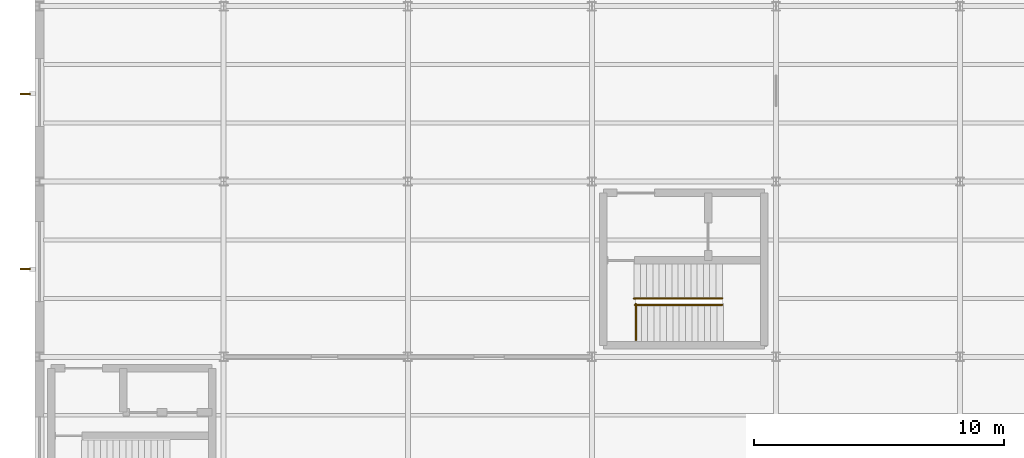
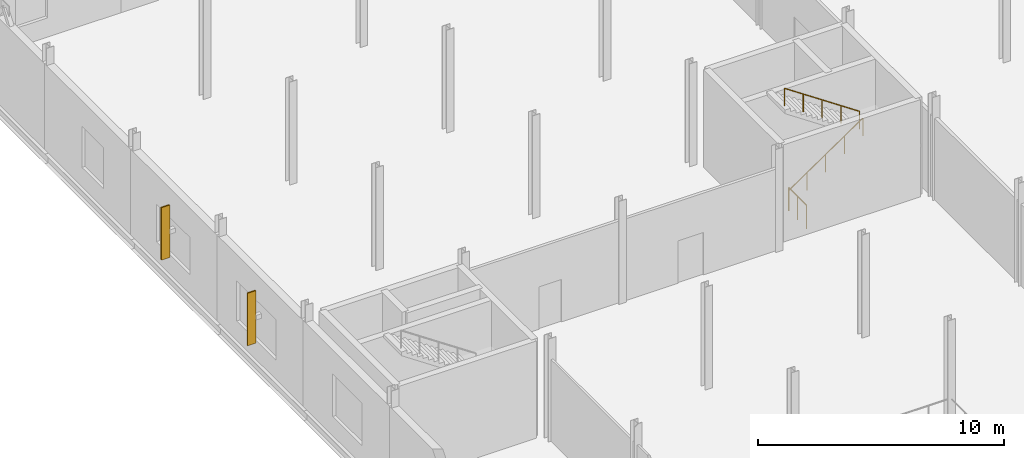
# One storey, part 213 of 218: 3 railings, 2 shading devices.
"""IFC4 building model written with IfcOpenShell, lengths in metres."""

from ifc_helpers import new_model, si_unit, direction, frame, origin, origin_2d, place, context, subcontext, project, spatial, rectangle, circle, extrude, material, layer, layer_set, type_object, element, save


model = new_model("IFC4")

# Units and contexts
model_context = context("Model", 3, precision=1e-05, world=origin(), true_north=direction((0.0, 1.0)))
body_context = subcontext(model_context, "Body", "Model", "MODEL_VIEW")
ifc_project = project(units=[si_unit("LENGTHUNIT", "METRE"), si_unit("AREAUNIT", "SQUARE_METRE"), si_unit("VOLUMEUNIT", "CUBIC_METRE"), si_unit("PLANEANGLEUNIT", "RADIAN"), si_unit("MASSUNIT", "GRAM", prefix="KILO")], contexts=[model_context])

# Site, building, storey
site_placement = place(None, origin())
site = spatial("IfcSite", under=ifc_project, at=site_placement, CompositionType="ELEMENT")
building_placement = place(site_placement, origin())
building = spatial("IfcBuilding", under=site, at=building_placement, Name="Kazenagashi Tramway Depot", CompositionType="ELEMENT")
storey_placement = place(building_placement, frame((0.0, 0.0, 6.0)))
storey = spatial("IfcBuildingStorey", under=building, at=storey_placement, Name="L02", CompositionType="ELEMENT", Elevation=6.0)

# Railings
ifc_material_1 = material(Name="Galvanised Painted Steel Balustrade", Category="steel")
railing_type_1 = type_object("IfcRailingType", Name="GR-01", PredefinedType="GUARDRAIL", material=ifc_material_1)
railing_1_placement = place(storey_placement, frame((23.81, 35.67, 0.0)))
element("IfcRailing", 1, at=railing_1_placement, inside=storey, type_object=railing_type_1, Name="Stairwell ST-05 Arrival Guardrail", PredefinedType="GUARDRAIL", context=body_context, shape_type="SweptSolid", body=[
    extrude(circle(Radius=0.024, at=origin_2d()), frame((0.0, 0.0, 1.156), z_axis=(0.0, 1.0, 0.0), x_axis=(-1.0, 0.0, 0.0)), (0.0, 0.0, 1.0), 1.45),
    extrude(circle(Radius=0.021, at=origin_2d()), origin(), (0.0, 0.0, 1.0), 1.132),
    extrude(circle(Radius=0.021, at=origin_2d()), frame((0.0, 0.725, 0.0)), (0.0, 0.0, 1.0), 1.132),
    extrude(circle(Radius=0.021, at=origin_2d()), frame((0.0, 1.45, 0.0)), (0.0, 0.0, 1.0), 1.132),
])
ifc_material_2 = material(Name="Brushed Stainless Steel Handrail", Category="steel")
railing_type_2 = type_object("IfcRailingType", Name="HR-01", PredefinedType="HANDRAIL", material=ifc_material_2)
railing_2_placement = place(storey_placement, frame((23.77, 37.07, 0.17)))
element("IfcRailing", 2, at=railing_2_placement, inside=storey, type_object=railing_type_2, Name="Stair ST-06 Lower Handrail", PredefinedType="HANDRAIL", context=body_context, shape_type="SweptSolid", body=[
    extrude(circle(Radius=0.024, at=origin_2d()), frame((0.0, 0.0, 0.876), z_axis=(0.826026878985, 0.0, 0.563630725913), x_axis=(0.0, 1.0, 0.0)), (0.0, 0.0, 1.0), 4.222623),
    extrude(circle(Radius=0.021, at=origin_2d()), origin(), (0.0, 0.0, 1.0), 0.852),
    extrude(circle(Radius=0.021, at=origin_2d()), frame((0.872, 0.0, 0.595)), (0.0, 0.0, 1.0), 0.852),
    extrude(circle(Radius=0.021, at=origin_2d()), frame((1.744, 0.0, 1.19)), (0.0, 0.0, 1.0), 0.852),
    extrude(circle(Radius=0.021, at=origin_2d()), frame((2.616, 0.0, 1.785)), (0.0, 0.0, 1.0), 0.852),
    extrude(circle(Radius=0.021, at=origin_2d()), frame((3.488, 0.0, 2.38)), (0.0, 0.0, 1.0), 0.852),
])
railing_3_placement = place(storey_placement, frame((27.258, 37.33, 2.72)))
element("IfcRailing", 3, at=railing_3_placement, inside=storey, type_object=railing_type_2, Name="Stair ST-06 Upper Handrail", PredefinedType="HANDRAIL", context=body_context, shape_type="SweptSolid", body=[
    extrude(circle(Radius=0.024, at=origin_2d()), frame((0.0, 0.0, 0.876), z_axis=(-0.829001192095, 0.0, 0.559246835937), x_axis=(0.0, -1.0, 0.0)), (0.0, 0.0, 1.0), 4.255724),
    extrude(circle(Radius=0.021, at=origin_2d()), origin(), (0.0, 0.0, 1.0), 0.852),
    extrude(circle(Radius=0.021, at=origin_2d()), frame((-0.882, 0.0, 0.595)), (0.0, 0.0, 1.0), 0.852),
    extrude(circle(Radius=0.021, at=origin_2d()), frame((-1.764, 0.0, 1.19)), (0.0, 0.0, 1.0), 0.852),
    extrude(circle(Radius=0.021, at=origin_2d()), frame((-2.646, 0.0, 1.785)), (0.0, 0.0, 1.0), 0.852),
    extrude(circle(Radius=0.021, at=origin_2d()), frame((-3.528, 0.0, 2.38)), (0.0, 0.0, 1.0), 0.852),
])

# Shading devices
ifc_material_3 = material(Name="Anodised Aluminium Solar Fin", Category="aluminium")
ifc_layer = layer(ifc_material_3, 0.06)
ifc_layer_set = layer_set([ifc_layer], Name="Anodised Aluminium Solar Fin")
shading_device_type = type_object("IfcShadingDeviceType", Name="SH-FN1", PredefinedType="USERDEFINED", material=ifc_layer_set)
for number, where, z_axis, x_axis, name in (
    (4, (-0.58, 38.5, 1.1), (0.0, 0.0, 1.0), (1.0, 0.0, 0.0), "Vertical Aluminium Solar Shading Fin 4"),
    (5, (-0.58, 45.5, 1.1), (0.0, 0.0, 1.0), (1.0, 0.0, 0.0), "Vertical Aluminium Solar Shading Fin 5"),
):
    element("IfcShadingDevice", number, at=place(storey_placement, frame(where, z_axis=z_axis, x_axis=x_axis)), inside=storey, type_object=shading_device_type, Name=name, ObjectType="BRISE SOLEIL", PredefinedType="USERDEFINED", context=body_context, shape_type="SweptSolid", body=[
        extrude(rectangle(XDim=0.4, YDim=0.06, at=origin_2d()), origin(), (0.0, 0.0, 1.0), 2.6),
    ])

save(model, "model.ifc")
